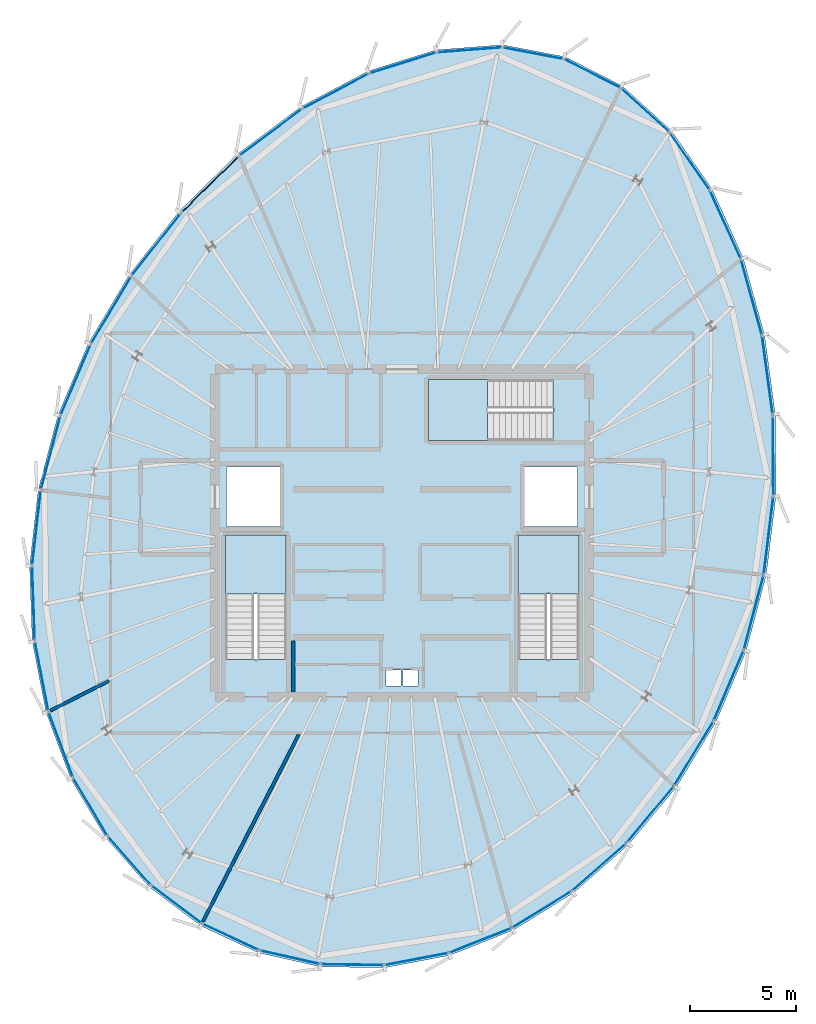
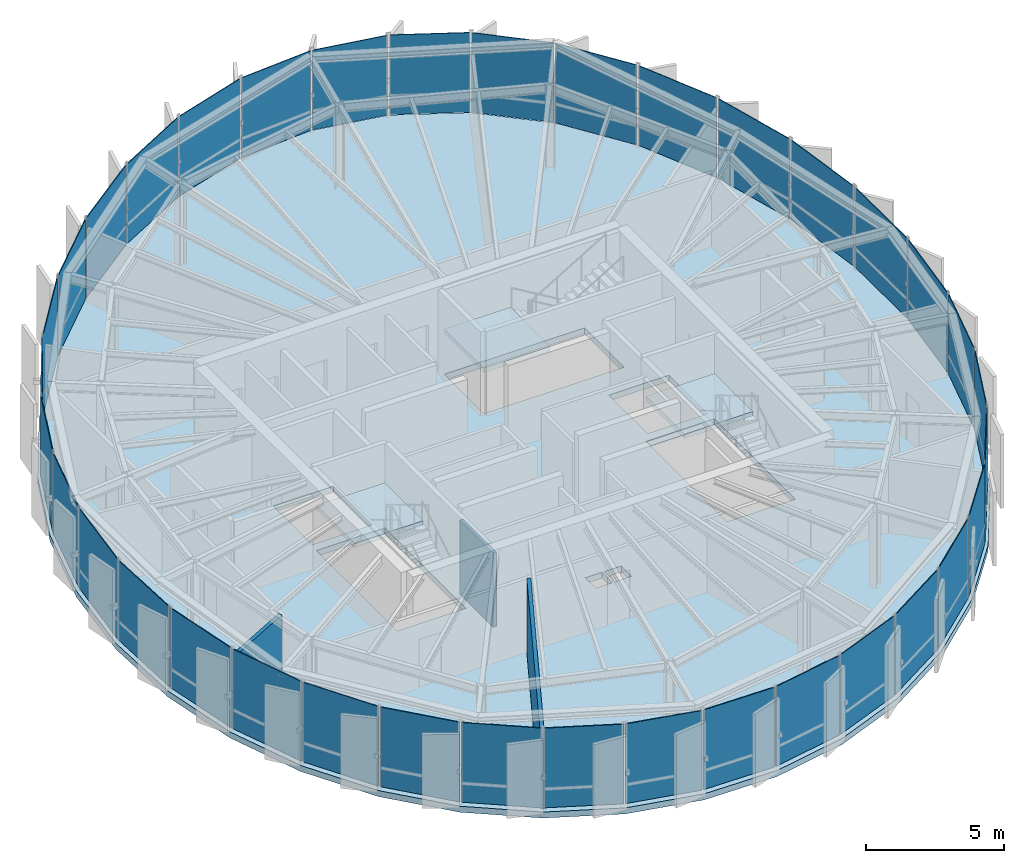
# One storey, part 20 of 26: 36 plates, 4 slabs, 3 walls, 9 elements without a shape of their own.
"""IFC4 building model written with IfcOpenShell, lengths in metres."""

from ifc_helpers import new_model, si_unit, direction, frame, frame_2d, origin, origin_2d, place, context, subcontext, project, spatial, polyline, rectangle, outline, extrude, source, transform, mapped, material, layer, layer_set, type_object, element, aggregate, save


model = new_model("IFC4")

# Units and contexts
model_context = context("Model", 3, precision=1e-05, world=origin(), true_north=direction((0.0, 1.0)))
body_context = subcontext(model_context, "Body", "Model", "MODEL_VIEW")
ifc_project = project(units=[si_unit("LENGTHUNIT", "METRE"), si_unit("AREAUNIT", "SQUARE_METRE"), si_unit("VOLUMEUNIT", "CUBIC_METRE"), si_unit("PLANEANGLEUNIT", "RADIAN"), si_unit("MASSUNIT", "GRAM", prefix="KILO"), si_unit("THERMODYNAMICTEMPERATUREUNIT", "KELVIN")], contexts=[model_context])

# Site, building, storey
site_placement = place(None, origin())
site = spatial("IfcSite", under=ifc_project, at=site_placement, CompositionType="ELEMENT")
building_placement = place(site_placement, origin())
building = spatial("IfcBuilding", under=site, at=building_placement, Name="Kethvar Cultural Tower", CompositionType="ELEMENT")
storey_placement = place(building_placement, frame((0.0, 0.0, 320.300048828125)))
storey = spatial("IfcBuildingStorey", under=building, at=storey_placement, Name="L85", CompositionType="ELEMENT", Elevation=320.300048828125)

# Slab
ifc_material_1 = material(Name="Concrete C45/55", Category="concrete")
ifc_layer_1 = layer(ifc_material_1, 0.264892578125, Name="Concrete C45/55", Category="concrete")
ifc_layer_set_1 = layer_set([ifc_layer_1], Name="Concrete C45/55 (265 mm)")
slab_type_1 = type_object("IfcSlabType", Name="SL-CRN-265", PredefinedType="FLOOR", material=ifc_layer_set_1)
slab_1_placement = place(storey_placement, frame((0.0, 0.0, -0.26513671875)))
element("IfcSlab", 1, at=slab_1_placement, inside=storey, type_object=slab_type_1, Name="L85 Structural Floor Slab", PredefinedType="FLOOR", context=body_context, shape_type="SweptSolid", body=[
    extrude(outline(polyline([(54.4619140625, 50.1787109375), (51.5166015625, 50.740966796875), (48.39208984375, 50.501220703125), (45.196044921875, 49.50390625), (42.044189453125, 47.833740234375), (39.052490234375, 45.601318359375), (36.330810546875, 42.9287109375), (33.97412109375, 39.9326171875), (32.056396484375, 36.712646484375), (30.626220703125, 33.33740234375), (29.698974609375, 29.827392578125), (29.291259765625, 26.255615234375), (29.41552734375, 22.73095703125), (30.068115234375, 19.360107421875), (31.22900390625, 16.24560546875), (32.863037109375, 13.482421875), (34.920654296875, 11.154296875), (37.339111328125, 9.331787109375), (40.045166015625, 8.0703125), (42.956298828125, 7.40869140625), (45.984130859375, 7.3662109375), (49.037109375, 7.94482421875), (52.021728515625, 9.126708984375), (54.847900390625, 10.876220703125), (57.429443359375, 13.1396484375), (59.68798828125, 15.848388671875), (61.55517578125, 18.920654296875), (62.973876953125, 22.262451171875), (63.91259765625, 25.805908203125), (64.370849609375, 29.525634765625), (64.3447265625, 33.33740234375), (63.832275390625, 37.117431640625), (62.836669921875, 40.71484375), (61.369873046875, 43.96630859375), (59.455810546875, 46.71337890625), (57.1337890625, 48.81787109375), (54.4619140625, 50.1787109375)]), holes=[polyline([(38.489990234375, 21.85009765625), (38.489990234375, 27.699951171875), (41.35009765625, 27.699951171875), (41.35009765625, 21.85009765625), (38.489990234375, 21.85009765625)]), polyline([(52.25, 21.85009765625), (52.25, 27.699951171875), (55.110107421875, 27.699951171875), (55.110107421875, 21.85009765625), (52.25, 21.85009765625)]), polyline([(53.89990234375, 32.14990234375), (48.050048828125, 32.14990234375), (48.050048828125, 35.010009765625), (53.89990234375, 35.010009765625), (53.89990234375, 32.14990234375)]), polyline([(38.550048828125, 30.89990234375), (41.050048828125, 30.89990234375), (41.050048828125, 28.10009765625), (38.550048828125, 28.10009765625), (38.550048828125, 30.89990234375)]), polyline([(52.550048828125, 30.89990234375), (55.050048828125, 30.89990234375), (55.050048828125, 28.10009765625), (52.550048828125, 28.10009765625), (52.550048828125, 30.89990234375)]), polyline([(46.050048828125, 21.35009765625), (46.75, 21.35009765625), (46.75, 20.60009765625), (46.050048828125, 20.60009765625), (46.050048828125, 21.35009765625)]), polyline([(46.85009765625, 21.35009765625), (47.550048828125, 21.35009765625), (47.550048828125, 20.60009765625), (46.85009765625, 20.60009765625), (46.85009765625, 21.35009765625)])]), origin(), (0.0, 0.0, 1.0), 0.26513671875),
])

# Stair, slab
ifc_material_2 = material(Name="Concrete C40/50", Category="concrete")
stair_type = type_object("IfcStairType", Name="ST-DOGLEG-135", PredefinedType="HALF_TURN_STAIR", material=ifc_material_2)
stair_1_placement = place(storey_placement, origin())
stair_1 = element("IfcStair", 2, at=stair_1_placement, inside=storey, type_object=stair_type, Name="L85 Core Exit Stair 1", PredefinedType="HALF_TURN_STAIR")
ifc_layer_2 = layer(ifc_material_2, 0.199951171875, Name="Concrete C40/50", Category="concrete")
ifc_layer_set_2 = layer_set([ifc_layer_2], Name="Concrete C40/50 (200 mm)")
slab_type_2 = type_object("IfcSlabType", Name="SL-STAIR-LANDING-200", PredefinedType="LANDING", material=ifc_layer_set_2)
slab_2_placement = place(storey_placement, frame((0.0, 0.0, 1.800048828125)))
slab_2 = element("IfcSlab", 3, at=slab_2_placement, type_object=slab_type_2, Name="ST-01 landing 1", PredefinedType="LANDING", context=body_context, shape_type="SweptSolid", body=[
    extrude(outline(polyline([(41.35009765625, 24.929931640625), (41.35009765625, 27.699951171875), (38.489990234375, 27.699951171875), (38.489990234375, 24.929931640625), (41.35009765625, 24.929931640625)])), origin(), (0.0, 0.0, 1.0), 0.199951171875),
])
aggregate(stair_1, [slab_2])

stair_2_placement = place(storey_placement, origin())
stair_2 = element("IfcStair", 4, at=stair_2_placement, inside=storey, type_object=stair_type, Name="L85 Core Exit Stair 2", PredefinedType="HALF_TURN_STAIR")
slab_3_placement = place(storey_placement, frame((0.0, 0.0, 1.800048828125)))
slab_3 = element("IfcSlab", 5, at=slab_3_placement, type_object=slab_type_2, Name="ST-02 landing 1", PredefinedType="LANDING", context=body_context, shape_type="SweptSolid", body=[
    extrude(outline(polyline([(55.110107421875, 24.929931640625), (55.110107421875, 27.699951171875), (52.25, 27.699951171875), (52.25, 24.929931640625), (55.110107421875, 24.929931640625)])), origin(), (0.0, 0.0, 1.0), 0.199951171875),
])
aggregate(stair_2, [slab_3])

stair_3_placement = place(storey_placement, origin())
stair_3 = element("IfcStair", 6, at=stair_3_placement, inside=storey, type_object=stair_type, Name="L85 Core Exit Stair 3", PredefinedType="HALF_TURN_STAIR")
slab_4_placement = place(storey_placement, frame((0.0, 0.0, 1.800048828125)))
slab_4 = element("IfcSlab", 7, at=slab_4_placement, type_object=slab_type_2, Name="ST-03 landing 1", PredefinedType="LANDING", context=body_context, shape_type="SweptSolid", body=[
    extrude(outline(polyline([(50.820068359375, 35.010009765625), (48.050048828125, 35.010009765625), (48.050048828125, 32.14990234375), (50.820068359375, 32.14990234375), (50.820068359375, 35.010009765625)])), origin(), (0.0, 0.0, 1.0), 0.199951171875),
])
aggregate(stair_3, [slab_4])

# Curtain wall, plate
ifc_material_3 = material(Name="Aluminium 6063-T6", Category="aluminium")
ifc_layer_3 = layer(ifc_material_3, 0.179931640625, Name="Aluminium 6063-T6", Category="aluminium")
ifc_layer_set_3 = layer_set([ifc_layer_3], Name="Aluminium 6063-T6 (180 mm)")
curtain_wall_type = type_object("IfcCurtainWallType", Name="CW-SYS-06-CROWN", PredefinedType="NOTDEFINED", material=ifc_layer_set_3)
curtain_wall_1_placement = place(storey_placement, origin())
curtain_wall_1 = element("IfcCurtainWall", 8, at=curtain_wall_1_placement, inside=storey, type_object=curtain_wall_type, Name="L85 Curtain Wall Run 01", PredefinedType="NOTDEFINED")
ifc_material_4 = material(Name="Insulated Low-E Solar Glass", Category="glass")
ifc_layer_4 = layer(ifc_material_4, 0.033935546875, Name="Insulated Low-E Solar Glass", Category="glass")
ifc_layer_set_4 = layer_set([ifc_layer_4], Name="Insulated Low-E Solar Glass (34 mm)")
plate_type = type_object("IfcPlateType", Name="CW-SYS-06-CROWN-PNL", PredefinedType="CURTAIN_PANEL", material=ifc_layer_set_4)
shared_shape_1 = source(origin(), body_context, "Body", "SweptSolid", [
    extrude(rectangle(XDim=2.90478515625, YDim=0.033935546875, at=origin_2d()), origin(), (0.0, 0.0, 1.0), 3.514892578125),
])
plate_1_placement = place(storey_placement, frame((52.966796875, 50.341796875, 0.10986328125), z_axis=(0.0, 0.0, 1.0), x_axis=(-0.982251257996, 0.187569896745, 0.0)))
plate_1 = element("IfcPlate", 9, at=plate_1_placement, type_object=plate_type, Name="CW-L85-R01 Vision Glazing Panel 1", PredefinedType="CURTAIN_PANEL", context=body_context, shape_type="MappedRepresentation", body=[
    mapped(shared_shape_1, transform((0.0, 0.0, 0.0), scale=1.0)),
])

curtain_wall_2_placement = place(storey_placement, origin())
curtain_wall_2 = element("IfcCurtainWall", 10, at=curtain_wall_2_placement, inside=storey, type_object=curtain_wall_type, Name="L85 Curtain Wall Run 06", PredefinedType="NOTDEFINED")
plate_2_placement = place(storey_placement, frame((55.743408203125, 49.39111328125, 0.10986328125), z_axis=(0.0, 0.0, 1.0), x_axis=(-0.891085746907, 0.453834982851, 0.0)))
plate_2 = element("IfcPlate", 11, at=plate_2_placement, type_object=plate_type, Name="CW-L85-R06 Vision Glazing Panel 6", PredefinedType="CURTAIN_PANEL", context=body_context, shape_type="MappedRepresentation", body=[
    mapped(shared_shape_1, transform((0.0, 0.0, 0.0), scale=1.0)),
])

# Plate
shared_shape_2 = source(origin(), body_context, "Body", "SweptSolid", [
    extrude(rectangle(XDim=3.0400390625, YDim=0.033935546875, at=origin_2d()), origin(), (0.0, 0.0, 1.0), 3.514892578125),
])
plate_3_placement = place(storey_placement, frame((49.963623046875, 50.50146484375, 0.10986328125), z_axis=(0.0, 0.0, 1.0), x_axis=(-0.997067462848, -0.076527606327, 0.0)))
plate_3 = element("IfcPlate", 12, at=plate_3_placement, type_object=plate_type, Name="CW-L85-R01 Vision Glazing Panel 2", PredefinedType="CURTAIN_PANEL", context=body_context, shape_type="MappedRepresentation", body=[
    mapped(shared_shape_2, transform((0.0, 0.0, 0.0), scale=1.0)),
])

plate_4_placement = place(storey_placement, frame((58.214111328125, 47.676513671875, 0.10986328125), z_axis=(0.0, 0.0, 1.0), x_axis=(-0.740945264869, 0.67156542084, 0.0)))
plate_4 = element("IfcPlate", 13, at=plate_4_placement, type_object=plate_type, Name="CW-L85-R06 Vision Glazing Panel 5", PredefinedType="CURTAIN_PANEL", context=body_context, shape_type="MappedRepresentation", body=[
    mapped(shared_shape_2, transform((0.0, 0.0, 0.0), scale=1.0)),
])

shared_shape_3 = source(origin(), body_context, "Body", "SweptSolid", [
    extrude(rectangle(XDim=3.25439453125, YDim=0.033935546875, at=origin_2d()), origin(), (0.0, 0.0, 1.0), 3.514892578125),
])
plate_5_placement = place(storey_placement, frame((46.829833984375, 49.887939453125, 0.10986328125), z_axis=(0.0, 0.0, 1.0), x_axis=(-0.954615360722, -0.297841422696, 0.0)))
plate_5 = element("IfcPlate", 14, at=plate_5_placement, type_object=plate_type, Name="CW-L85-R01 Vision Glazing Panel 3", PredefinedType="CURTAIN_PANEL", context=body_context, shape_type="MappedRepresentation", body=[
    mapped(shared_shape_3, transform((0.0, 0.0, 0.0), scale=1.0)),
])

plate_6_placement = place(storey_placement, frame((60.314453125, 45.271240234375, 0.10986328125), z_axis=(0.0, 0.0, 1.0), x_axis=(-0.571730684009, 0.820441359856, 0.0)))
plate_6 = element("IfcPlate", 15, at=plate_6_placement, type_object=plate_type, Name="CW-L85-R06 Vision Glazing Panel 4", PredefinedType="CURTAIN_PANEL", context=body_context, shape_type="MappedRepresentation", body=[
    mapped(shared_shape_3, transform((0.0, 0.0, 0.0), scale=1.0)),
])

shared_shape_4 = source(origin(), body_context, "Body", "SweptSolid", [
    extrude(rectangle(XDim=3.4736328125, YDim=0.033935546875, at=origin_2d()), origin(), (0.0, 0.0, 1.0), 3.514892578125),
])
plate_7_placement = place(storey_placement, frame((43.67626953125, 48.56298828125, 0.10986328125), z_axis=(0.0, 0.0, 1.0), x_axis=(-0.883618581992, -0.468207434326, 0.0)))
plate_7 = element("IfcPlate", 16, at=plate_7_placement, type_object=plate_type, Name="CW-L85-R01 Vision Glazing Panel 4", PredefinedType="CURTAIN_PANEL", context=body_context, shape_type="MappedRepresentation", body=[
    mapped(shared_shape_4, transform((0.0, 0.0, 0.0), scale=1.0)),
])

shared_shape_5 = source(origin(), body_context, "Body", "SweptSolid", [
    extrude(rectangle(XDim=3.63916015625, YDim=0.033935546875, at=origin_2d()), origin(), (0.0, 0.0, 1.0), 3.514892578125),
])
plate_8_placement = place(storey_placement, frame((40.6201171875, 46.621337890625, 0.10986328125), z_axis=(0.0, 0.0, 1.0), x_axis=(-0.801441742365, -0.59807284974, 0.0)))
plate_8 = element("IfcPlate", 17, at=plate_8_placement, type_object=plate_type, Name="CW-L85-R01 Vision Glazing Panel 5", PredefinedType="CURTAIN_PANEL", context=body_context, shape_type="MappedRepresentation", body=[
    mapped(shared_shape_5, transform((0.0, 0.0, 0.0), scale=1.0)),
])

plate_9_placement = place(storey_placement, frame((63.218994140625, 38.884033203125, 0.10986328125), z_axis=(0.0, 0.0, 1.0), x_axis=(-0.266733783743, 0.963770246796, 0.0)))
plate_9 = element("IfcPlate", 18, at=plate_9_placement, type_object=plate_type, Name="CW-L85-R06 Vision Glazing Panel 2", PredefinedType="CURTAIN_PANEL", context=body_context, shape_type="MappedRepresentation", body=[
    mapped(shared_shape_5, transform((0.0, 0.0, 0.0), scale=1.0)),
])

shared_shape_6 = source(origin(), body_context, "Body", "SweptSolid", [
    extrude(rectangle(XDim=3.720947265625, YDim=0.033935546875, at=origin_2d()), origin(), (0.0, 0.0, 1.0), 3.514892578125),
])
plate_10_placement = place(storey_placement, frame((37.77587890625, 44.179443359375, 0.10986328125), z_axis=(0.0, 0.0, 1.0), x_axis=(-0.713495069184, -0.700660250228, 0.0)))
plate_10 = element("IfcPlate", 19, at=plate_10_placement, type_object=plate_type, Name="CW-L85-R01 Vision Glazing Panel 6", PredefinedType="CURTAIN_PANEL", context=body_context, shape_type="MappedRepresentation", body=[
    mapped(shared_shape_6, transform((0.0, 0.0, 0.0), scale=1.0)),
])

aggregate(curtain_wall_1, [plate_1, plate_3, plate_5, plate_7, plate_8, plate_10])

plate_11_placement = place(storey_placement, frame((63.969482421875, 35.211181640625, 0.10986328125), z_axis=(0.0, 0.0, 1.0), x_axis=(-0.134332095642, 0.99093636934, 0.0)))
plate_11 = element("IfcPlate", 20, at=plate_11_placement, type_object=plate_type, Name="CW-L85-R06 Vision Glazing Panel 1", PredefinedType="CURTAIN_PANEL", context=body_context, shape_type="MappedRepresentation", body=[
    mapped(shared_shape_6, transform((0.0, 0.0, 0.0), scale=1.0)),
])

# Curtain wall, plates
curtain_wall_3_placement = place(storey_placement, origin())
curtain_wall_3 = element("IfcCurtainWall", 21, at=curtain_wall_3_placement, inside=storey, type_object=curtain_wall_type, Name="L85 Curtain Wall Run 02", PredefinedType="NOTDEFINED")
shared_shape_7 = source(origin(), body_context, "Body", "SweptSolid", [
    extrude(rectangle(XDim=3.718505859375, YDim=0.033935546875, at=origin_2d()), origin(), (0.0, 0.0, 1.0), 3.514892578125),
])
plate_12_placement = place(storey_placement, frame((35.24658203125, 41.3564453125, 0.10986328125), z_axis=(0.0, 0.0, 1.0), x_axis=(-0.618298663008, -0.785943231616, 0.0)))
plate_12 = element("IfcPlate", 22, at=plate_12_placement, type_object=plate_type, Name="CW-L85-R02 Vision Glazing Panel 1", PredefinedType="CURTAIN_PANEL", context=body_context, shape_type="MappedRepresentation", body=[
    mapped(shared_shape_7, transform((0.0, 0.0, 0.0), scale=1.0)),
])
shared_shape_8 = source(origin(), body_context, "Body", "SweptSolid", [
    extrude(rectangle(XDim=3.654296875, YDim=0.033935546875, at=origin_2d()), origin(), (0.0, 0.0, 1.0), 3.514892578125),
])
plate_13_placement = place(storey_placement, frame((33.118408203125, 38.26123046875, 0.10986328125), z_axis=(0.0, 0.0, 1.0), x_axis=(-0.511683019679, -0.859174305582, 0.0)))
plate_13 = element("IfcPlate", 23, at=plate_13_placement, type_object=plate_type, Name="CW-L85-R02 Vision Glazing Panel 2", PredefinedType="CURTAIN_PANEL", context=body_context, shape_type="MappedRepresentation", body=[
    mapped(shared_shape_8, transform((0.0, 0.0, 0.0), scale=1.0)),
])

# Curtain wall, plate
curtain_wall_4_placement = place(storey_placement, origin())
curtain_wall_4 = element("IfcCurtainWall", 24, at=curtain_wall_4_placement, inside=storey, type_object=curtain_wall_type, Name="L85 Curtain Wall Run 05", PredefinedType="NOTDEFINED")
plate_14_placement = place(storey_placement, frame((64.0224609375, 27.680419921875, 0.10986328125), z_axis=(0.0, 0.0, 1.0), x_axis=(0.122285089461, 0.992495016056, 0.0)))
plate_14 = element("IfcPlate", 25, at=plate_14_placement, type_object=plate_type, Name="CW-L85-R05 Vision Glazing Panel 5", PredefinedType="CURTAIN_PANEL", context=body_context, shape_type="MappedRepresentation", body=[
    mapped(shared_shape_8, transform((0.0, 0.0, 0.0), scale=1.0)),
])

# Plate
shared_shape_9 = source(origin(), body_context, "Body", "SweptSolid", [
    extrude(rectangle(XDim=3.572021484375, YDim=0.033935546875, at=origin_2d()), origin(), (0.0, 0.0, 1.0), 3.514892578125),
])
plate_15_placement = place(storey_placement, frame((31.45166015625, 34.978271484375, 0.10986328125), z_axis=(0.0, 0.0, 1.0), x_axis=(-0.390136610961, -0.920756984653, 0.0)))
plate_15 = element("IfcPlate", 26, at=plate_15_placement, type_object=plate_type, Name="CW-L85-R02 Vision Glazing Panel 3", PredefinedType="CURTAIN_PANEL", context=body_context, shape_type="MappedRepresentation", body=[
    mapped(shared_shape_9, transform((0.0, 0.0, 0.0), scale=1.0)),
])

plate_16_placement = place(storey_placement, frame((63.3271484375, 24.06494140625, 0.10986328125), z_axis=(0.0, 0.0, 1.0), x_axis=(0.256086923261, 0.966653757937, 0.0)))
plate_16 = element("IfcPlate", 27, at=plate_16_placement, type_object=plate_type, Name="CW-L85-R05 Vision Glazing Panel 4", PredefinedType="CURTAIN_PANEL", context=body_context, shape_type="MappedRepresentation", body=[
    mapped(shared_shape_9, transform((0.0, 0.0, 0.0), scale=1.0)),
])

shared_shape_10 = source(origin(), body_context, "Body", "SweptSolid", [
    extrude(rectangle(XDim=3.536865234375, YDim=0.033935546875, at=origin_2d()), origin(), (0.0, 0.0, 1.0), 3.514892578125),
])
plate_17_placement = place(storey_placement, frame((30.278564453125, 31.5517578125, 0.10986328125), z_axis=(0.0, 0.0, 1.0), x_axis=(-0.255412009277, -0.966832304755, 0.0)))
plate_17 = element("IfcPlate", 28, at=plate_17_placement, type_object=plate_type, Name="CW-L85-R02 Vision Glazing Panel 4", PredefinedType="CURTAIN_PANEL", context=body_context, shape_type="MappedRepresentation", body=[
    mapped(shared_shape_10, transform((0.0, 0.0, 0.0), scale=1.0)),
])

shared_shape_11 = source(origin(), body_context, "Body", "SweptSolid", [
    extrude(rectangle(XDim=3.501220703125, YDim=0.033935546875, at=origin_2d()), origin(), (0.0, 0.0, 1.0), 3.514892578125),
])
plate_18_placement = place(storey_placement, frame((29.6142578125, 28.02783203125, 0.10986328125), z_axis=(0.0, 0.0, 1.0), x_axis=(-0.113376623045, -0.993552082856, 0.0)))
plate_18 = element("IfcPlate", 29, at=plate_18_placement, type_object=plate_type, Name="CW-L85-R02 Vision Glazing Panel 5", PredefinedType="CURTAIN_PANEL", context=body_context, shape_type="MappedRepresentation", body=[
    mapped(shared_shape_11, transform((0.0, 0.0, 0.0), scale=1.0)),
])

plate_19_placement = place(storey_placement, frame((60.51904296875, 17.447021484375, 0.10986328125), z_axis=(0.0, 0.0, 1.0), x_axis=(0.519340143048, 0.85456761922, 0.0)))
plate_19 = element("IfcPlate", 30, at=plate_19_placement, type_object=plate_type, Name="CW-L85-R05 Vision Glazing Panel 2", PredefinedType="CURTAIN_PANEL", context=body_context, shape_type="MappedRepresentation", body=[
    mapped(shared_shape_11, transform((0.0, 0.0, 0.0), scale=1.0)),
])

shared_shape_12 = source(origin(), body_context, "Body", "SweptSolid", [
    extrude(rectangle(XDim=3.433349609375, YDim=0.033935546875, at=origin_2d()), origin(), (0.0, 0.0, 1.0), 3.514892578125),
])
plate_20_placement = place(storey_placement, frame((29.473388671875, 24.49755859375, 0.10986328125), z_axis=(0.0, 0.0, 1.0), x_axis=(0.035248347778, -0.99937858391, 0.0)))
plate_20 = element("IfcPlate", 31, at=plate_20_placement, type_object=plate_type, Name="CW-L85-R02 Vision Glazing Panel 6", PredefinedType="CURTAIN_PANEL", context=body_context, shape_type="MappedRepresentation", body=[
    mapped(shared_shape_12, transform((0.0, 0.0, 0.0), scale=1.0)),
])

aggregate(curtain_wall_3, [plate_12, plate_13, plate_15, plate_17, plate_18, plate_20])

plate_21_placement = place(storey_placement, frame((58.466796875, 14.57080078125, 0.10986328125), z_axis=(0.0, 0.0, 1.0), x_axis=(0.640377842023, 0.768060036355, 0.0)))
plate_21 = element("IfcPlate", 32, at=plate_21_placement, type_object=plate_type, Name="CW-L85-R05 Vision Glazing Panel 1", PredefinedType="CURTAIN_PANEL", context=body_context, shape_type="MappedRepresentation", body=[
    mapped(shared_shape_12, transform((0.0, 0.0, 0.0), scale=1.0)),
])

# Curtain wall, plate
curtain_wall_5_placement = place(storey_placement, origin())
curtain_wall_5 = element("IfcCurtainWall", 33, at=curtain_wall_5_placement, inside=storey, type_object=curtain_wall_type, Name="L85 Curtain Wall Run 03", PredefinedType="NOTDEFINED")
shared_shape_13 = source(origin(), body_context, "Body", "SweptSolid", [
    extrude(rectangle(XDim=3.33984375, YDim=0.033935546875, at=origin_2d()), origin(), (0.0, 0.0, 1.0), 3.514892578125),
])
plate_22_placement = place(storey_placement, frame((29.859619140625, 21.068359375, 0.10986328125), z_axis=(0.0, 0.0, 1.0), x_axis=(0.190072238776, -0.981770107534, 0.0)))
plate_22 = element("IfcPlate", 34, at=plate_22_placement, type_object=plate_type, Name="CW-L85-R03 Vision Glazing Panel 1", PredefinedType="CURTAIN_PANEL", context=body_context, shape_type="MappedRepresentation", body=[
    mapped(shared_shape_13, transform((0.0, 0.0, 0.0), scale=1.0)),
])

curtain_wall_6_placement = place(storey_placement, origin())
curtain_wall_6 = element("IfcCurtainWall", 35, at=curtain_wall_6_placement, inside=storey, type_object=curtain_wall_type, Name="L85 Curtain Wall Run 04", PredefinedType="NOTDEFINED")
plate_23_placement = place(storey_placement, frame((56.0595703125, 12.09814453125, 0.10986328125), z_axis=(0.0, 0.0, 1.0), x_axis=(0.751908849889, 0.659267079004, 0.0)))
plate_23 = element("IfcPlate", 36, at=plate_23_placement, type_object=plate_type, Name="CW-L85-R04 Vision Glazing Panel 6", PredefinedType="CURTAIN_PANEL", context=body_context, shape_type="MappedRepresentation", body=[
    mapped(shared_shape_13, transform((0.0, 0.0, 0.0), scale=1.0)),
])

# Plate
shared_shape_14 = source(origin(), body_context, "Body", "SweptSolid", [
    extrude(rectangle(XDim=3.22998046875, YDim=0.033935546875, at=origin_2d()), origin(), (0.0, 0.0, 1.0), 3.514892578125),
])
plate_24_placement = place(storey_placement, frame((30.760986328125, 17.844970703125, 0.10986328125), z_axis=(0.0, 0.0, 1.0), x_axis=(0.349275371331, -0.937020125174, 0.0)))
plate_24 = element("IfcPlate", 37, at=plate_24_placement, type_object=plate_type, Name="CW-L85-R03 Vision Glazing Panel 2", PredefinedType="CURTAIN_PANEL", context=body_context, shape_type="MappedRepresentation", body=[
    mapped(shared_shape_14, transform((0.0, 0.0, 0.0), scale=1.0)),
])

shared_shape_15 = source(origin(), body_context, "Body", "SweptSolid", [
    extrude(rectangle(XDim=3.11669921875, YDim=0.033935546875, at=origin_2d()), origin(), (0.0, 0.0, 1.0), 3.514892578125),
])
plate_25_placement = place(storey_placement, frame((32.1494140625, 14.92529296875, 0.10986328125), z_axis=(0.0, 0.0, 1.0), x_axis=(0.509011369875, -0.860759795377, 0.0)))
plate_25 = element("IfcPlate", 38, at=plate_25_placement, type_object=plate_type, Name="CW-L85-R03 Vision Glazing Panel 3", PredefinedType="CURTAIN_PANEL", context=body_context, shape_type="MappedRepresentation", body=[
    mapped(shared_shape_15, transform((0.0, 0.0, 0.0), scale=1.0)),
])

plate_26_placement = place(storey_placement, frame((50.485107421875, 8.6474609375, 0.10986328125), z_axis=(0.0, 0.0, 1.0), x_axis=(0.929757209657, 0.368173235163, 0.0)))
plate_26 = element("IfcPlate", 39, at=plate_26_placement, type_object=plate_type, Name="CW-L85-R04 Vision Glazing Panel 4", PredefinedType="CURTAIN_PANEL", context=body_context, shape_type="MappedRepresentation", body=[
    mapped(shared_shape_15, transform((0.0, 0.0, 0.0), scale=1.0)),
])

shared_shape_16 = source(origin(), body_context, "Body", "SweptSolid", [
    extrude(rectangle(XDim=3.013671875, YDim=0.033935546875, at=origin_2d()), origin(), (0.0, 0.0, 1.0), 3.514892578125),
])
plate_27_placement = place(storey_placement, frame((33.981689453125, 12.397705078125, 0.10986328125), z_axis=(0.0, 0.0, 1.0), x_axis=(0.662201649108, -0.749325680809, 0.0)))
plate_27 = element("IfcPlate", 40, at=plate_27_placement, type_object=plate_type, Name="CW-L85-R03 Vision Glazing Panel 4", PredefinedType="CURTAIN_PANEL", context=body_context, shape_type="MappedRepresentation", body=[
    mapped(shared_shape_16, transform((0.0, 0.0, 0.0), scale=1.0)),
])

plate_28_placement = place(storey_placement, frame((47.48828125, 7.7734375, 0.10986328125), z_axis=(0.0, 0.0, 1.0), x_axis=(0.982508947497, 0.186215380914, 0.0)))
plate_28 = element("IfcPlate", 41, at=plate_28_placement, type_object=plate_type, Name="CW-L85-R04 Vision Glazing Panel 3", PredefinedType="CURTAIN_PANEL", context=body_context, shape_type="MappedRepresentation", body=[
    mapped(shared_shape_16, transform((0.0, 0.0, 0.0), scale=1.0)),
])

shared_shape_17 = source(origin(), body_context, "Body", "SweptSolid", [
    extrude(rectangle(XDim=2.9345703125, YDim=0.033935546875, at=origin_2d()), origin(), (0.0, 0.0, 1.0), 3.514892578125),
])
plate_29_placement = place(storey_placement, frame((36.2021484375, 10.3388671875, 0.10986328125), z_axis=(0.0, 0.0, 1.0), x_axis=(0.798614502253, -0.601842900424, 0.0)))
plate_29 = element("IfcPlate", 42, at=plate_29_placement, type_object=plate_type, Name="CW-L85-R03 Vision Glazing Panel 5", PredefinedType="CURTAIN_PANEL", context=body_context, shape_type="MappedRepresentation", body=[
    mapped(shared_shape_17, transform((0.0, 0.0, 0.0), scale=1.0)),
])

shared_shape_18 = source(origin(), body_context, "Body", "SweptSolid", [
    extrude(rectangle(XDim=2.89208984375, YDim=0.033935546875, at=origin_2d()), origin(), (0.0, 0.0, 1.0), 3.514892578125),
])
plate_30_placement = place(storey_placement, frame((38.742919921875, 8.809814453125, 0.10986328125), z_axis=(0.0, 0.0, 1.0), x_axis=(0.906374160577, -0.422475894033, 0.0)))
plate_30 = element("IfcPlate", 43, at=plate_30_placement, type_object=plate_type, Name="CW-L85-R03 Vision Glazing Panel 6", PredefinedType="CURTAIN_PANEL", context=body_context, shape_type="MappedRepresentation", body=[
    mapped(shared_shape_18, transform((0.0, 0.0, 0.0), scale=1.0)),
])

aggregate(curtain_wall_5, [plate_22, plate_24, plate_25, plate_27, plate_29, plate_30])

shared_shape_19 = source(origin(), body_context, "Body", "SweptSolid", [
    extrude(rectangle(XDim=2.891845703125, YDim=0.033935546875, at=origin_2d()), origin(), (0.0, 0.0, 1.0), 3.514892578125),
])
plate_31_placement = place(storey_placement, frame((41.527099609375, 7.8564453125, 0.10986328125), z_axis=(0.0, 0.0, 1.0), x_axis=(0.975118410794, -0.221684651995, 0.0)))
plate_31 = element("IfcPlate", 44, at=plate_31_placement, type_object=plate_type, Name="CW-L85-R04 Vision Glazing Panel 1", PredefinedType="CURTAIN_PANEL", context=body_context, shape_type="MappedRepresentation", body=[
    mapped(shared_shape_19, transform((0.0, 0.0, 0.0), scale=1.0)),
])

shared_shape_20 = source(origin(), body_context, "Body", "SweptSolid", [
    extrude(rectangle(XDim=2.934814453125, YDim=0.033935546875, at=origin_2d()), origin(), (0.0, 0.0, 1.0), 3.514892578125),
])
plate_32_placement = place(storey_placement, frame((44.471923828125, 7.50732421875, 0.10986328125), z_axis=(0.0, 0.0, 1.0), x_axis=(0.999902524009, -0.013962180339, 0.0)))
plate_32 = element("IfcPlate", 45, at=plate_32_placement, type_object=plate_type, Name="CW-L85-R04 Vision Glazing Panel 2", PredefinedType="CURTAIN_PANEL", context=body_context, shape_type="MappedRepresentation", body=[
    mapped(shared_shape_20, transform((0.0, 0.0, 0.0), scale=1.0)),
])

shared_shape_21 = source(origin(), body_context, "Body", "SweptSolid", [
    extrude(rectangle(XDim=3.230224609375, YDim=0.033935546875, at=origin_2d()), origin(), (0.0, 0.0, 1.0), 3.514892578125),
])
plate_33_placement = place(storey_placement, frame((53.37158203125, 10.103515625, 0.10986328125), z_axis=(0.0, 0.0, 1.0), x_axis=(0.85029711534, 0.526302969443, 0.0)))
plate_33 = element("IfcPlate", 46, at=plate_33_placement, type_object=plate_type, Name="CW-L85-R04 Vision Glazing Panel 5", PredefinedType="CURTAIN_PANEL", context=body_context, shape_type="MappedRepresentation", body=[
    mapped(shared_shape_21, transform((0.0, 0.0, 0.0), scale=1.0)),
])

aggregate(curtain_wall_6, [plate_31, plate_32, plate_28, plate_26, plate_33, plate_23])

shared_shape_22 = source(origin(), body_context, "Body", "SweptSolid", [
    extrude(rectangle(XDim=3.537109375, YDim=0.033935546875, at=origin_2d()), origin(), (0.0, 0.0, 1.0), 3.514892578125),
])
plate_34_placement = place(storey_placement, frame((62.154052734375, 20.638427734375, 0.10986328125), z_axis=(0.0, 0.0, 1.0), x_axis=(0.390763259932, 0.920491213802, 0.0)))
plate_34 = element("IfcPlate", 47, at=plate_34_placement, type_object=plate_type, Name="CW-L85-R05 Vision Glazing Panel 3", PredefinedType="CURTAIN_PANEL", context=body_context, shape_type="MappedRepresentation", body=[
    mapped(shared_shape_22, transform((0.0, 0.0, 0.0), scale=1.0)),
])

shared_shape_23 = source(origin(), body_context, "Body", "SweptSolid", [
    extrude(rectangle(XDim=3.71826171875, YDim=0.033935546875, at=origin_2d()), origin(), (0.0, 0.0, 1.0), 3.514892578125),
])
plate_35_placement = place(storey_placement, frame((64.23779296875, 31.4306640625, 0.10986328125), z_axis=(0.0, 0.0, 1.0), x_axis=(-0.006841637293, 0.999976595726, 0.0)))
plate_35 = element("IfcPlate", 48, at=plate_35_placement, type_object=plate_type, Name="CW-L85-R05 Vision Glazing Panel 6", PredefinedType="CURTAIN_PANEL", context=body_context, shape_type="MappedRepresentation", body=[
    mapped(shared_shape_23, transform((0.0, 0.0, 0.0), scale=1.0)),
])

aggregate(curtain_wall_4, [plate_21, plate_19, plate_34, plate_16, plate_14, plate_35])

shared_shape_24 = source(origin(), body_context, "Body", "SweptSolid", [
    extrude(rectangle(XDim=3.473388671875, YDim=0.033935546875, at=origin_2d()), origin(), (0.0, 0.0, 1.0), 3.514892578125),
])
plate_36_placement = place(storey_placement, frame((61.993896484375, 42.291259765625, 0.10986328125), z_axis=(0.0, 0.0, 1.0), x_axis=(-0.411196193781, 0.911546866716, 0.0)))
plate_36 = element("IfcPlate", 49, at=plate_36_placement, type_object=plate_type, Name="CW-L85-R06 Vision Glazing Panel 3", PredefinedType="CURTAIN_PANEL", context=body_context, shape_type="MappedRepresentation", body=[
    mapped(shared_shape_24, transform((0.0, 0.0, 0.0), scale=1.0)),
])

aggregate(curtain_wall_2, [plate_11, plate_9, plate_36, plate_6, plate_4, plate_2])

# Walls
ifc_material_5 = material(Name="Gypsum Fireboard Partition")
ifc_layer_5 = layer(ifc_material_5, 0.14990234375, Name="Gypsum Fireboard Partition")
ifc_layer_set_5 = layer_set([ifc_layer_5], Name="Gypsum Fireboard Partition (150 mm)")
wall_type = type_object("IfcWallType", Name="WL-FIRE-150", PredefinedType="PARTITIONING", material=ifc_layer_set_5)
wall_1_placement = place(storey_placement, frame((41.679931640625, 20.3349609375, 0.0), z_axis=(0.0, 0.0, 1.0), x_axis=(0.0, 1.0, 0.0)))
element("IfcWall", 50, at=wall_1_placement, inside=storey, type_object=wall_type, Name="L85 Reclaimed West Outer Wall", PredefinedType="PARTITIONING", context=body_context, shape_type="SweptSolid", body=[
    extrude(rectangle(XDim=2.39501953125, YDim=0.14990234375, at=frame_2d((1.197509765625, 0.0))), origin(), (0.0, 0.0, 1.0), 3.260009765625),
])
wall_2_placement = place(storey_placement, frame((33.02880859375, 20.85302734375, 0.0), z_axis=(0.0, 0.0, 1.0), x_axis=(-0.891015952575, -0.453971995013, 0.0)))
element("IfcWall", 51, at=wall_2_placement, inside=storey, type_object=wall_type, Name="L85 Radial Partition Wall 01", PredefinedType="PARTITIONING", context=body_context, shape_type="SweptSolid", body=[
    extrude(rectangle(XDim=3.08642578125, YDim=0.14990234375, at=frame_2d((1.543212890625, 0.0))), origin(), (0.0, 0.0, 1.0), 3.260009765625),
])
wall_3_placement = place(storey_placement, frame((41.947998046875, 18.328857421875, 0.0), z_axis=(0.0, 0.0, 1.0), x_axis=(-0.45632417338, -0.889813603396, 0.0)))
element("IfcWall", 52, at=wall_3_placement, inside=storey, type_object=wall_type, Name="L85 Radial Partition Wall 02", PredefinedType="PARTITIONING", context=body_context, shape_type="SweptSolid", body=[
    extrude(rectangle(XDim=9.879150390625, YDim=0.14990234375, at=frame_2d((4.939453125, 0.0))), origin(), (0.0, 0.0, 1.0), 3.260009765625),
])

save(model, "model.ifc")
